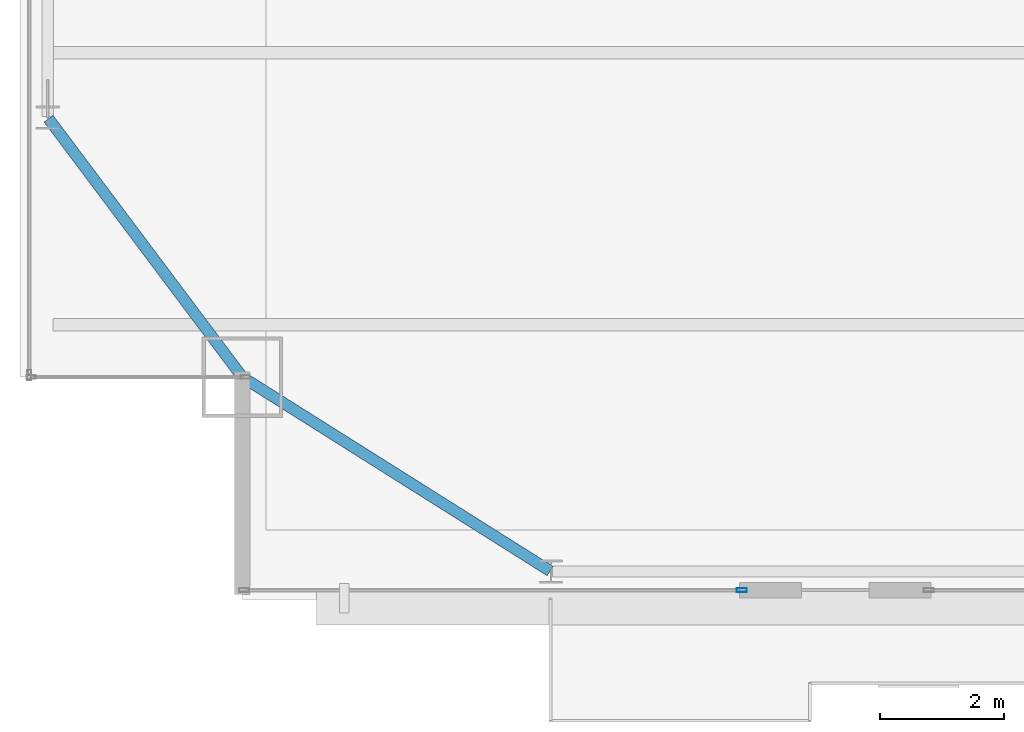
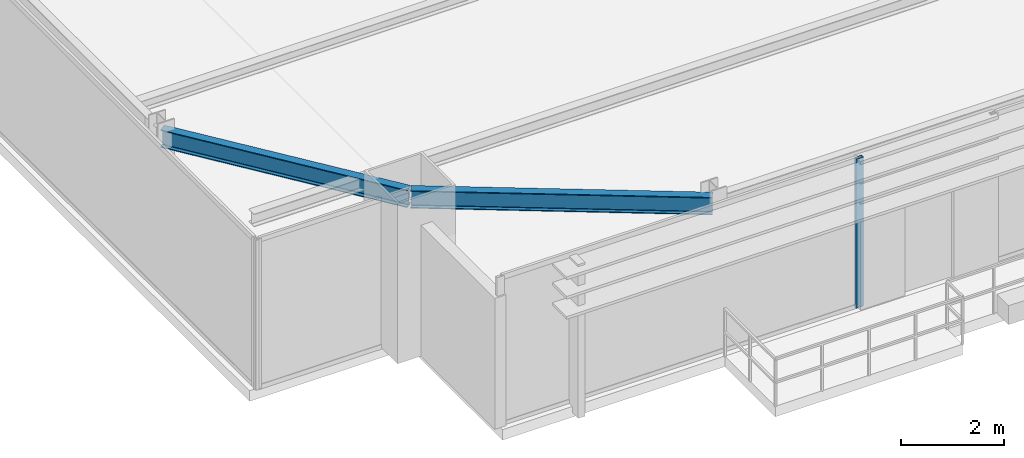
# One storey, part 5 of 31: 2 beams, 1 member, 1 element without a shape of its own.
"""IFC4 building model written with IfcOpenShell, lengths in metres."""

from ifc_helpers import new_model, si_unit, direction, frame, origin, origin_2d, place, context, subcontext, project, spatial, hollow_rectangle, i_section, extrude, source, transform, mapped, material, layer, layer_set, material_profile, profile_set, type_object, type_shapes, element, aggregate, save


model = new_model("IFC4")

# Units and contexts
model_context = context("Model", 3, precision=1e-05, world=origin(), true_north=direction((0.0, 1.0)))
body_context = subcontext(model_context, "Body", "Model", "MODEL_VIEW")
ifc_project = project(units=[si_unit("LENGTHUNIT", "METRE"), si_unit("AREAUNIT", "SQUARE_METRE"), si_unit("VOLUMEUNIT", "CUBIC_METRE"), si_unit("PLANEANGLEUNIT", "RADIAN"), si_unit("MASSUNIT", "GRAM", prefix="KILO")], contexts=[model_context])

# Site, building, storey
site_placement = place(None, origin())
site = spatial("IfcSite", under=ifc_project, at=site_placement, CompositionType="ELEMENT")
building_placement = place(site_placement, origin())
building = spatial("IfcBuilding", under=site, at=building_placement, Name="Varnel Quay Broadcast Tower", CompositionType="ELEMENT")
storey_placement = place(building_placement, frame((0.0, 0.0, 157.199951171875)))
storey = spatial("IfcBuildingStorey", under=building, at=storey_placement, Name="L38", CompositionType="ELEMENT", Elevation=157.199951171875)

# Beams
ifc_material_1 = material(Name="Structural Steel CSA G40.21 350W", Category="steel")
ifc_material_profile_1 = material_profile(ifc_material_1, i_section(OverallWidth=0.180908203125, OverallDepth=0.4169921875, WebThickness=0.010986328125, FlangeThickness=0.018310546875, FilletRadius=0.011962890625, at=origin_2d()), Name="W410X85")
ifc_profile_set_1 = profile_set([ifc_material_profile_1], Name="Structural Steel CSA G40.21 350W")
beam_type = type_object("IfcBeamType", Name="Beam_W410X85", PredefinedType="SPANDREL", material=ifc_profile_set_1)
shared_shape_1 = source(origin(), body_context, "Body", "SweptSolid", [
    extrude(i_section(OverallWidth=0.180908203125, OverallDepth=0.4169921875, WebThickness=0.010986328125, FlangeThickness=0.018310546875, FilletRadius=0.011962890625, at=origin_2d()), origin(), (0.0, 0.0, 1.0), 5.869384765625),
])
beam_1_placement = place(storey_placement, frame((10.616943359375, 10.789306640625, 3.341552734375), z_axis=(0.846088328928, -0.533042718412, 0.0), x_axis=(0.533042718412, 0.846088328928, 0.0)))
element("IfcBeam", 1, at=beam_1_placement, inside=storey, type_object=beam_type, Name="L38 South Spandrel MC-SW-TC-S1", PredefinedType="SPANDREL", context=body_context, shape_type="MappedRepresentation", body=[
    mapped(shared_shape_1, transform((0.0, 0.0, 0.0), x_axis=(1.0, 0.0, 0.0), y_axis=(0.0, 1.0, 0.0), z_axis=(0.0, 0.0, 1.0), scale=1.0)),
])
shared_shape_2 = source(origin(), body_context, "Body", "SweptSolid", [
    extrude(i_section(OverallWidth=0.180908203125, OverallDepth=0.4169921875, WebThickness=0.010986328125, FlangeThickness=0.018310546875, FilletRadius=0.011962890625, at=origin_2d()), origin(), (0.0, 0.0, 1.0), 5.2099609375),
])
type_shapes(beam_type, [shared_shape_1, shared_shape_2])
beam_2_placement = place(storey_placement, frame((10.587890625, 10.81591796875, 3.341552734375), z_axis=(-0.6, 0.8, 0.0), x_axis=(-0.8, -0.6, 0.0)))
element("IfcBeam", 2, at=beam_2_placement, inside=storey, type_object=beam_type, Name="L38 West Spandrel MC-SW-TC-W1", PredefinedType="SPANDREL", context=body_context, shape_type="MappedRepresentation", body=[
    mapped(shared_shape_2, transform((0.0, 0.0, 0.0), x_axis=(1.0, 0.0, 0.0), y_axis=(0.0, 1.0, 0.0), z_axis=(0.0, 0.0, 1.0), scale=1.0)),
])

# Curtain wall, member
ifc_material_2 = material(Name="Anodised Bronze Aluminium 6063-T6", Category="aluminium")
ifc_layer = layer(ifc_material_2, 0.18994140625, Name="Anodised Bronze Aluminium 6063-T6")
ifc_layer_set = layer_set([ifc_layer], Name="Anodised Bronze Aluminium 6063-T6")
curtain_wall_type = type_object("IfcCurtainWallType", Name="CW_UpperTower", PredefinedType="NOTDEFINED", material=ifc_layer_set)
curtain_wall_placement = place(storey_placement, origin())
curtain_wall = element("IfcCurtainWall", 3, at=curtain_wall_placement, inside=storey, type_object=curtain_wall_type, Name="L38 South Unitised Curtain Wall 1", PredefinedType="NOTDEFINED")
ifc_material_profile_2 = material_profile(ifc_material_2, hollow_rectangle(XDim=0.06494140625, YDim=0.1650390625, WallThickness=0.00341796875, at=origin_2d()), Name="ALU65X165X3.5")
ifc_profile_set_2 = profile_set([ifc_material_profile_2], Name="Anodised Bronze Aluminium 6063-T6")
member_type = type_object("IfcMemberType", Name="Mull_CWS-03", PredefinedType="MULLION", material=ifc_profile_set_2)
shared_shape_3 = source(origin(), body_context, "Body", "SweptSolid", [
    extrude(hollow_rectangle(XDim=0.06494140625, YDim=0.1650390625, WallThickness=0.00341796875, at=origin_2d()), origin(), (0.0, 0.0, 1.0), 3.550048828125),
])
type_shapes(member_type, [shared_shape_3])
member_placement = place(storey_placement, frame((18.6875, 7.35009765625, 0.0), z_axis=(0.0, 0.0, 1.0), x_axis=(0.0, 1.0, 0.0)))
member = element("IfcMember", 4, at=member_placement, type_object=member_type, Name="CWS-03 mullion 2", PredefinedType="MULLION", context=body_context, shape_type="MappedRepresentation", body=[
    mapped(shared_shape_3, transform((0.0, 0.0, 0.0), x_axis=(1.0, 0.0, 0.0), y_axis=(0.0, 1.0, 0.0), z_axis=(0.0, 0.0, 1.0), scale=1.0)),
])
aggregate(curtain_wall, [member])

save(model, "model.ifc")
